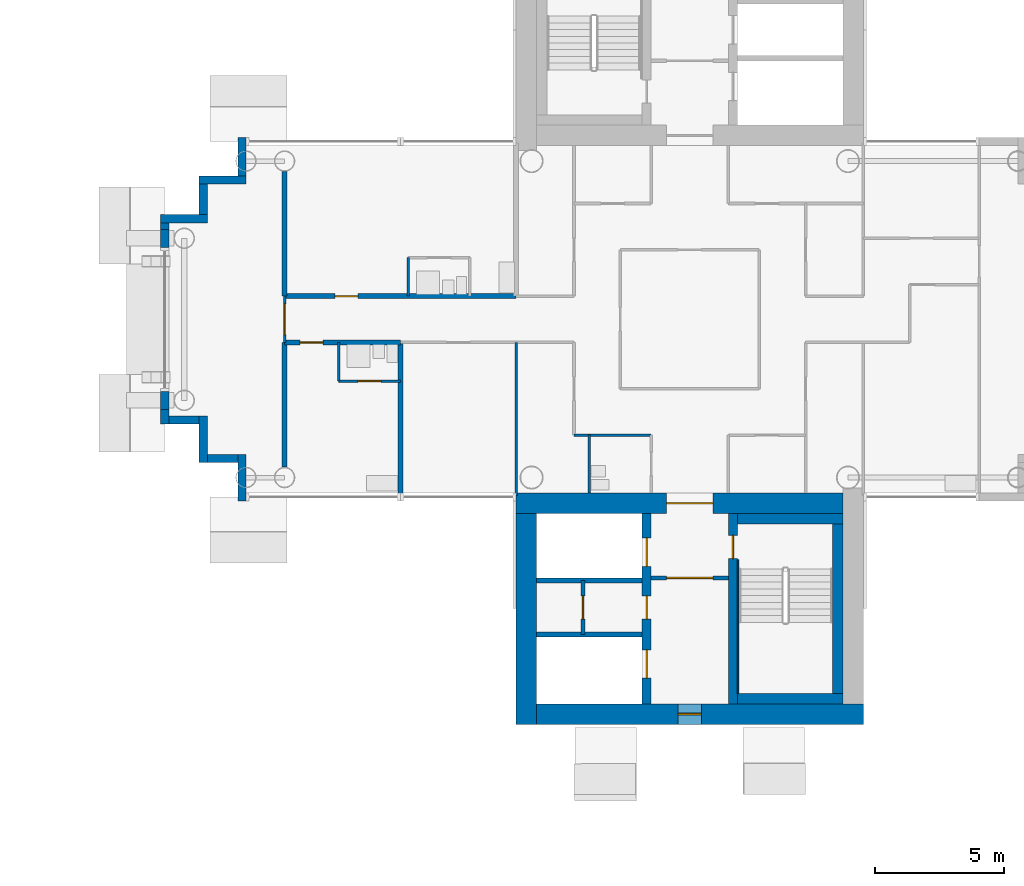
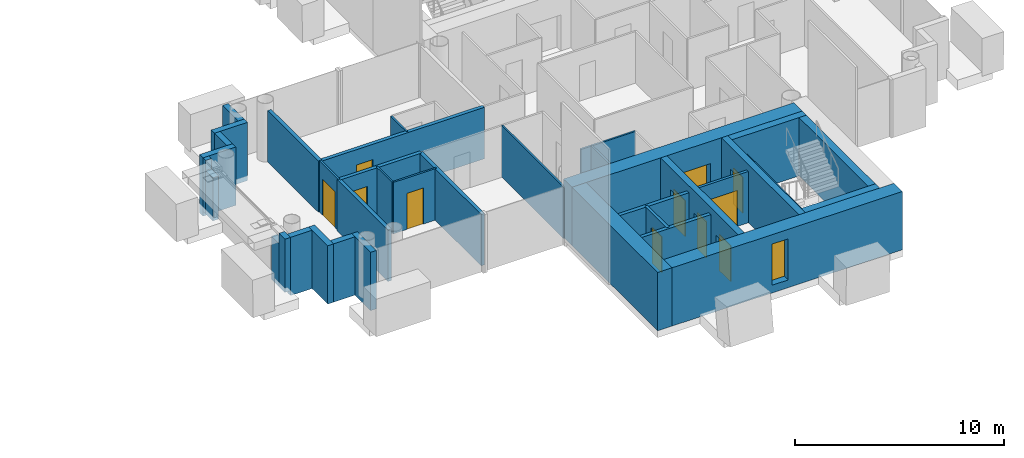
# One storey, part 9 of 18: 37 walls, 11 doors, 1 window, 12 openings.
"""IFC4 building model written with IfcOpenShell, lengths in metres."""

from ifc_helpers import new_model, si_unit, direction, frame, frame_2d, origin, place, context, subcontext, project, spatial, rectangle, extrude, material, layer, layer_set, type_object, element, fill, save


model = new_model("IFC4")

# Units and contexts
model_context = context("Model", 3, precision=1e-05, world=origin(), true_north=direction((0.0, 1.0)))
body_context = subcontext(model_context, "Body", "Model", "MODEL_VIEW")
ifc_project = project(units=[si_unit("LENGTHUNIT", "METRE"), si_unit("AREAUNIT", "SQUARE_METRE"), si_unit("VOLUMEUNIT", "CUBIC_METRE"), si_unit("PLANEANGLEUNIT", "RADIAN"), si_unit("MASSUNIT", "GRAM", prefix="KILO")], contexts=[model_context])

# Site, building, storey
site_placement = place(None, origin())
site = spatial("IfcSite", under=ifc_project, at=site_placement, CompositionType="ELEMENT")
building_placement = place(site_placement, origin())
building = spatial("IfcBuilding", under=site, at=building_placement, Name="Ipe Terrace Towers", CompositionType="ELEMENT")
storey_placement = place(building_placement, frame((0.0, 0.0, 177.89990234375)))
storey = spatial("IfcBuildingStorey", under=building, at=storey_placement, Name="L49", CompositionType="ELEMENT", Elevation=177.89990234375)

# Walls
ifc_material_1 = material(Name="Concrete C40/50 with buff precast cladding", Category="concrete")
ifc_layer_1 = layer(ifc_material_1, 0.320068359375)
ifc_layer_set_1 = layer_set([ifc_layer_1], Name="BUFF CLADDING WALL 320")
wall_type_1 = type_object("IfcWallType", Name="BUFF CLADDING WALL 320", PredefinedType="STANDARD", material=ifc_layer_set_1)
wall_1_placement = place(storey_placement, frame((18.590087890625, 7.070068359375, -0.2998046875), z_axis=(0.0, 0.0, 1.0), x_axis=(0.0, -1.0, 0.0)))
element("IfcWall", 1, at=wall_1_placement, inside=storey, type_object=wall_type_1, Name="T2-W-L49-30a wall", PredefinedType="STANDARD", context=body_context, shape_type="SweptSolid", body=[
    extrude(rectangle(XDim=1.5, YDim=0.320068359375, at=frame_2d((0.75, 0.0))), origin(), (0.0, 0.0, 1.0), 3.39990234375),
])
wall_2_placement = place(storey_placement, frame((18.75, 5.409912109375, -0.2998046875), z_axis=(0.0, 0.0, 1.0), x_axis=(-1.0, 0.0, 0.0)))
element("IfcWall", 2, at=wall_2_placement, inside=storey, type_object=wall_type_1, Name="T2-W-L49-31a wall", PredefinedType="STANDARD", context=body_context, shape_type="SweptSolid", body=[
    extrude(rectangle(XDim=1.820068359375, YDim=0.320068359375, at=frame_2d((0.91015625, 0.0))), origin(), (0.0, 0.0, 1.0), 3.39990234375),
])
wall_3_placement = place(storey_placement, frame((17.090087890625, 5.25, -0.2998046875), z_axis=(0.0, 0.0, 1.0), x_axis=(0.0, -1.0, 0.0)))
element("IfcWall", 3, at=wall_3_placement, inside=storey, type_object=wall_type_1, Name="T2-W-L49-32a wall", PredefinedType="STANDARD", context=body_context, shape_type="SweptSolid", body=[
    extrude(rectangle(XDim=1.179931640625, YDim=0.320068359375, at=frame_2d((0.58984375, 0.0))), origin(), (0.0, 0.0, 1.0), 3.39990234375),
])
wall_4_placement = place(storey_placement, frame((17.25, 3.909912109375, -0.2998046875), z_axis=(0.0, 0.0, 1.0), x_axis=(-1.0, 0.0, 0.0)))
element("IfcWall", 4, at=wall_4_placement, inside=storey, type_object=wall_type_1, Name="T2-W-L49-33a wall", PredefinedType="STANDARD", context=body_context, shape_type="SweptSolid", body=[
    extrude(rectangle(XDim=1.820068359375, YDim=0.320068359375, at=frame_2d((0.91015625, 0.0))), origin(), (0.0, 0.0, 1.0), 3.39990234375),
])
wall_5_placement = place(storey_placement, frame((15.590087890625, 3.75, 0.0), z_axis=(0.0, 0.0, 1.0), x_axis=(0.0, -1.0, 0.0)))
element("IfcWall", 5, at=wall_5_placement, inside=storey, type_object=wall_type_1, Name="T2-W-L49-34a wall", PredefinedType="STANDARD", context=body_context, shape_type="SweptSolid", body=[
    extrude(rectangle(XDim=0.25, YDim=0.320068359375, at=frame_2d((0.125, 0.0))), origin(), (0.0, 0.0, 1.0), 3.10009765625),
])
for number, where, z_axis, x_axis, name in (
    (6, (15.590087890625, 3.5, 0.0), (0.0, 0.0, 1.0), (0.0, -1.0, 0.0), "T2-W-L49-34b wall"),
    (7, (15.590087890625, -2.800048828125, 0.0), (0.0, 0.0, 1.0), (0.0, -1.0, 0.0), "T2-W-L49-34e wall"),
):
    element("IfcWall", number, at=place(storey_placement, frame(where, z_axis=z_axis, x_axis=x_axis)), inside=storey, type_object=wall_type_1, Name=name, PredefinedType="STANDARD", context=body_context, shape_type="SweptSolid", body=[
        extrude(rectangle(XDim=0.699951171875, YDim=0.320068359375, at=frame_2d((0.35009765625, 0.0))), origin(), (0.0, 0.0, 1.0), 2.510009765625),
    ])
wall_6_placement = place(storey_placement, frame((15.590087890625, -3.5, 0.0), z_axis=(0.0, 0.0, 1.0), x_axis=(0.0, -1.0, 0.0)))
element("IfcWall", 8, at=wall_6_placement, inside=storey, type_object=wall_type_1, Name="T2-W-L49-34g wall", PredefinedType="STANDARD", context=body_context, shape_type="SweptSolid", body=[
    extrude(rectangle(XDim=0.570068359375, YDim=0.320068359375, at=frame_2d((0.28515625, 0.0))), origin(), (0.0, 0.0, 1.0), 3.10009765625),
])
wall_7_placement = place(storey_placement, frame((15.75, -3.909912109375, -0.2998046875), z_axis=(0.0, 0.0, 1.0), x_axis=(1.0, 0.0, 0.0)))
element("IfcWall", 9, at=wall_7_placement, inside=storey, type_object=wall_type_1, Name="T2-W-L49-35a wall", PredefinedType="STANDARD", context=body_context, shape_type="SweptSolid", body=[
    extrude(rectangle(XDim=1.179931640625, YDim=0.320068359375, at=frame_2d((0.58984375, 0.0))), origin(), (0.0, 0.0, 1.0), 3.39990234375),
])
wall_8_placement = place(storey_placement, frame((17.090087890625, -3.75, -0.2998046875), z_axis=(0.0, 0.0, 1.0), x_axis=(0.0, -1.0, 0.0)))
element("IfcWall", 10, at=wall_8_placement, inside=storey, type_object=wall_type_1, Name="T2-W-L49-36a wall", PredefinedType="STANDARD", context=body_context, shape_type="SweptSolid", body=[
    extrude(rectangle(XDim=1.820068359375, YDim=0.320068359375, at=frame_2d((0.91015625, 0.0))), origin(), (0.0, 0.0, 1.0), 3.39990234375),
])
wall_9_placement = place(storey_placement, frame((17.25, -5.409912109375, -0.2998046875), z_axis=(0.0, 0.0, 1.0), x_axis=(1.0, 0.0, 0.0)))
element("IfcWall", 11, at=wall_9_placement, inside=storey, type_object=wall_type_1, Name="T2-W-L49-37a wall", PredefinedType="STANDARD", context=body_context, shape_type="SweptSolid", body=[
    extrude(rectangle(XDim=1.179931640625, YDim=0.320068359375, at=frame_2d((0.58984375, 0.0))), origin(), (0.0, 0.0, 1.0), 3.39990234375),
])
wall_10_placement = place(storey_placement, frame((18.590087890625, -5.25, -0.2998046875), z_axis=(0.0, 0.0, 1.0), x_axis=(0.0, -1.0, 0.0)))
element("IfcWall", 12, at=wall_10_placement, inside=storey, type_object=wall_type_1, Name="T2-W-L49-38a wall", PredefinedType="STANDARD", context=body_context, shape_type="SweptSolid", body=[
    extrude(rectangle(XDim=1.820068359375, YDim=0.320068359375, at=frame_2d((0.91015625, 0.0))), origin(), (0.0, 0.0, 1.0), 3.39990234375),
])
ifc_material_2 = material(Name="Gypsum board partition", Category="plasterboard")
ifc_layer_2 = layer(ifc_material_2, 0.10009765625)
ifc_layer_set_2 = layer_set([ifc_layer_2], Name="Gypsum board partition 100 mm")
wall_type_2 = type_object("IfcWallType", Name="Gypsum board partition 100 mm", PredefinedType="PARTITIONING", material=ifc_layer_set_2)
wall_11_placement = place(storey_placement, frame((34.5, -4.5, 0.0), z_axis=(0.0, 0.0, 1.0), x_axis=(-1.0, 0.0, 0.0)))
element("IfcWall", 13, at=wall_11_placement, inside=storey, type_object=wall_type_2, Name="Gypsum board partition T2 L49 W02", PredefinedType="PARTITIONING", context=body_context, shape_type="SweptSolid", body=[
    extrude(rectangle(XDim=3.0, YDim=0.10009765625, at=frame_2d((1.5, 0.0))), origin(), (0.0, 0.0, 1.0), 3.0),
])

# Wall, opening, door
wall_12_placement = place(storey_placement, frame((24.75, -2.39990234375, 0.0), z_axis=(0.0, 0.0, 1.0), x_axis=(-1.0, 0.0, 0.0)))
wall_12 = element("IfcWall", 14, at=wall_12_placement, inside=storey, type_object=wall_type_2, Name="Gypsum board partition T2 L49 W04", PredefinedType="PARTITIONING", context=body_context, shape_type="SweptSolid", body=[
    extrude(rectangle(XDim=2.39990234375, YDim=0.10009765625, at=frame_2d((1.199951171875, 0.0))), origin(), (0.0, 0.0, 1.0), 3.0),
])
opening_1_placement = place(wall_12_placement, frame((0.75, 0.0, 0.0)))
opening_1 = element("IfcOpeningElement", 15, at=opening_1_placement, cuts=wall_12, Name="Opening T2-Z3E-13", PredefinedType="OPENING", context=body_context, shape_type="SweptSolid", body=[
    extrude(rectangle(XDim=0.89990234375, YDim=2.10009765625, at=frame_2d((0.449951171875, 1.050048828125))), frame((0.0, 0.06005859375, 0.0), z_axis=(0.0, -1.0, 0.0), x_axis=(1.0, 0.0, 0.0)), (0.0, 0.0, 1.0), 0.1201171875),
])
ifc_material_3 = material(Name="Timber door leaf", Category="wood")
door_type_1 = type_object("IfcDoorType", Name="Bathroom door 900 x 2100", OperationType="NOTDEFINED", PredefinedType="DOOR", material=ifc_material_3)
door_1_placement = place(opening_1_placement, origin())
door_1 = element("IfcDoor", 16, at=door_1_placement, inside=storey, type_object=door_type_1, Name="Bathroom door T2-Z3E-13", OperationType="SINGLE_SWING_LEFT", OverallHeight=2.10009765625, OverallWidth=0.89990234375, PredefinedType="DOOR", context=body_context, shape_type="SweptSolid", body=[
    extrude(rectangle(XDim=0.89990234375, YDim=2.10009765625, at=frame_2d((0.449951171875, 1.050048828125))), frame((0.0, 0.02490234375, 0.0), z_axis=(0.0, -1.0, 0.0), x_axis=(1.0, 0.0, 0.0)), (0.0, 0.0, 1.0), 0.050048828125),
])
fill(opening_1, door_1)

# Walls
wall_13_placement = place(storey_placement, frame((32.10009765625, -6.75, 0.0), z_axis=(0.0, 0.0, 1.0), x_axis=(0.0, 1.0, 0.0)))
element("IfcWall", 17, at=wall_13_placement, inside=storey, type_object=wall_type_2, Name="Gypsum board partition T2 L49 W35", PredefinedType="PARTITIONING", context=body_context, shape_type="SweptSolid", body=[
    extrude(rectangle(XDim=2.25, YDim=0.10009765625, at=frame_2d((1.125, 0.0))), origin(), (0.0, 0.0, 1.0), 3.0),
])
wall_14_placement = place(storey_placement, frame((29.25, -6.85009765625, 0.0), z_axis=(0.0, 0.0, 1.0), x_axis=(0.0, 1.0, 0.0)))
element("IfcWall", 18, at=wall_14_placement, inside=storey, type_object=wall_type_2, Name="Gypsum board partition T2 L49 W38", PredefinedType="PARTITIONING", context=body_context, shape_type="SweptSolid", body=[
    extrude(rectangle(XDim=5.9501953125, YDim=0.10009765625, at=frame_2d((2.97509765625, 0.0))), origin(), (0.0, 0.0, 1.0), 3.0),
])
for number, where, z_axis, x_axis, name in (
    (19, (25.050048828125, 0.89990234375, 0.0), (0.0, 0.0, 1.0), (0.0, 1.0, 0.0), "Gypsum board partition T2 L49 W41"),
    (20, (22.35009765625, -2.39990234375, 0.0), (0.0, 0.0, 1.0), (0.0, 1.0, 0.0), "Gypsum board partition T2 L49 W43"),
):
    element("IfcWall", number, at=place(storey_placement, frame(where, z_axis=z_axis, x_axis=x_axis)), inside=storey, type_object=wall_type_2, Name=name, PredefinedType="PARTITIONING", context=body_context, shape_type="SweptSolid", body=[
        extrude(rectangle(XDim=1.5, YDim=0.10009765625, at=frame_2d((0.75, 0.0))), origin(), (0.0, 0.0, 1.0), 3.0),
    ])

# Wall, opening, door
wall_15_placement = place(storey_placement, frame((20.25, -0.89990234375, 0.0), z_axis=(0.0, 0.0, 1.0), x_axis=(0.0, 1.0, 0.0)))
wall_15 = element("IfcWall", 21, at=wall_15_placement, inside=storey, type_object=wall_type_2, Name="Gypsum board partition T2 L49 W44", PredefinedType="PARTITIONING", context=body_context, shape_type="SweptSolid", body=[
    extrude(rectangle(XDim=1.7998046875, YDim=0.10009765625, at=frame_2d((0.89990234375, 0.0))), origin(), (0.0, 0.0, 1.0), 3.0),
])
opening_2_placement = place(wall_15_placement, frame((0.300048828125, 0.0, 0.0)))
opening_2 = element("IfcOpeningElement", 22, at=opening_2_placement, cuts=wall_15, Name="Opening T2-Z3E-16", PredefinedType="OPENING", context=body_context, shape_type="SweptSolid", body=[
    extrude(rectangle(XDim=1.199951171875, YDim=2.10009765625, at=frame_2d((0.60009765625, 1.050048828125))), frame((0.0, 0.06005859375, 0.0), z_axis=(0.0, -1.0, 0.0), x_axis=(1.0, 0.0, 0.0)), (0.0, 0.0, 1.0), 0.1201171875),
])
ifc_material_4 = material(Name="Timber door leaf", Category="wood")
door_type_2 = type_object("IfcDoorType", Name="Lounge door 1200 x 2100", OperationType="NOTDEFINED", PredefinedType="DOOR", material=ifc_material_4)
door_2_placement = place(opening_2_placement, origin())
door_2 = element("IfcDoor", 23, at=door_2_placement, inside=storey, type_object=door_type_2, Name="Lounge door T2-Z3E-16", OperationType="SINGLE_SWING_LEFT", OverallHeight=2.10009765625, OverallWidth=1.199951171875, PredefinedType="DOOR", context=body_context, shape_type="SweptSolid", body=[
    extrude(rectangle(XDim=1.199951171875, YDim=2.10009765625, at=frame_2d((0.60009765625, 1.050048828125))), frame((0.0, 0.02490234375, 0.0), z_axis=(0.0, -1.0, 0.0), x_axis=(1.0, 0.0, 0.0)), (0.0, 0.0, 1.0), 0.050048828125),
])
fill(opening_2, door_2)

ifc_material_5 = material(Name="Gypsum board partition", Category="plasterboard")
ifc_layer_3 = layer(ifc_material_5, 0.14990234375)
ifc_layer_set_3 = layer_set([ifc_layer_3], Name="Gypsum board partition 150 mm")
wall_type_3 = type_object("IfcWallType", Name="Gypsum board partition 150 mm", PredefinedType="PARTITIONING", material=ifc_layer_set_3)
wall_16_placement = place(storey_placement, frame((34.5, -10.050048828125, 0.0), z_axis=(0.0, 0.0, 1.0), x_axis=(1.0, 0.0, 0.0)))
wall_16 = element("IfcWall", 24, at=wall_16_placement, inside=storey, type_object=wall_type_3, Name="Gypsum board partition T2 L49 t2c2-lobby-wall", PredefinedType="PARTITIONING", context=body_context, shape_type="SweptSolid", body=[
    extrude(rectangle(XDim=3.0, YDim=0.14990234375, at=frame_2d((1.5, 0.0))), origin(), (0.0, 0.0, 1.0), 3.0),
])
opening_3_placement = place(wall_16_placement, frame((0.60009765625, 0.0, 0.0)))
opening_3 = element("IfcOpeningElement", 25, at=opening_3_placement, cuts=wall_16, Name="Opening T2C2-VD", PredefinedType="OPENING", context=body_context, shape_type="SweptSolid", body=[
    extrude(rectangle(XDim=1.800048828125, YDim=2.10009765625, at=frame_2d((0.89990234375, 1.050048828125))), frame((0.0, 0.0849609375, 0.0), z_axis=(0.0, -1.0, 0.0), x_axis=(1.0, 0.0, 0.0)), (0.0, 0.0, 1.0), 0.169921875),
])
ifc_material_6 = material(Name="Fire-rated timber door leaf", Category="wood")
door_type_3 = type_object("IfcDoorType", Name="Lobby door 1800 x 2100 FD60", OperationType="NOTDEFINED", PredefinedType="DOOR", material=ifc_material_6)
door_3_placement = place(opening_3_placement, origin())
door_3 = element("IfcDoor", 26, at=door_3_placement, inside=storey, type_object=door_type_3, Name="Lobby door T2C2-VD", OperationType="SINGLE_SWING_LEFT", OverallHeight=2.10009765625, OverallWidth=1.800048828125, PredefinedType="DOOR", context=body_context, shape_type="SweptSolid", body=[
    extrude(rectangle(XDim=1.800048828125, YDim=2.10009765625, at=frame_2d((0.89990234375, 1.050048828125))), frame((0.0, 0.02490234375, 0.0), z_axis=(0.0, -1.0, 0.0), x_axis=(1.0, 0.0, 0.0)), (0.0, 0.0, 1.0), 0.050048828125),
])
fill(opening_3, door_3)

wall_17_placement = place(storey_placement, frame((31.85009765625, -10.14990234375, 0.0), z_axis=(0.0, 0.0, 1.0), x_axis=(0.0, -1.0, 0.0)))
wall_17 = element("IfcWall", 27, at=wall_17_placement, inside=storey, type_object=wall_type_3, Name="Gypsum board partition T2 L49 t2c2-q-back", PredefinedType="PARTITIONING", context=body_context, shape_type="SweptSolid", body=[
    extrude(rectangle(XDim=2.10009765625, YDim=0.14990234375, at=frame_2d((1.050048828125, 0.0))), origin(), (0.0, 0.0, 1.0), 3.0),
])
opening_4_placement = place(wall_17_placement, frame((0.60009765625, 0.0, 0.0)))
opening_4 = element("IfcOpeningElement", 28, at=opening_4_placement, cuts=wall_17, Name="Opening T2C2-RB", PredefinedType="OPENING", context=body_context, shape_type="SweptSolid", body=[
    extrude(rectangle(XDim=0.89990234375, YDim=2.10009765625, at=frame_2d((0.449951171875, 1.050048828125))), frame((0.0, 0.0849609375, 0.0), z_axis=(0.0, -1.0, 0.0), x_axis=(1.0, 0.0, 0.0)), (0.0, 0.0, 1.0), 0.169921875),
])
ifc_material_7 = material(Name="Fire-rated timber door leaf", Category="wood")
door_type_4 = type_object("IfcDoorType", Name="Service door 900 x 2100 FD60", OperationType="NOTDEFINED", PredefinedType="DOOR", material=ifc_material_7)
door_4_placement = place(opening_4_placement, origin())
door_4 = element("IfcDoor", 29, at=door_4_placement, inside=storey, type_object=door_type_4, Name="Service door T2C2-RB", OperationType="SINGLE_SWING_LEFT", OverallHeight=2.10009765625, OverallWidth=0.89990234375, PredefinedType="DOOR", context=body_context, shape_type="SweptSolid", body=[
    extrude(rectangle(XDim=0.89990234375, YDim=2.10009765625, at=frame_2d((0.449951171875, 1.050048828125))), frame((0.0, 0.02490234375, 0.0), z_axis=(0.0, -1.0, 0.0), x_axis=(1.0, 0.0, 0.0)), (0.0, 0.0, 1.0), 0.050048828125),
])
fill(opening_4, door_4)

# Walls
ifc_material_8 = material(Name="Gypsum board party wall", Category="plasterboard")
ifc_layer_4 = layer(ifc_material_8, 0.199951171875)
ifc_layer_set_4 = layer_set([ifc_layer_4], Name="Gypsum board party wall 200 mm")
wall_type_4 = type_object("IfcWallType", Name="Gypsum board party wall 200 mm", PredefinedType="SOLIDWALL", material=ifc_layer_set_4)
for number, where, z_axis, x_axis, name in (
    (30, (30.050048828125, -12.25, 0.0), (0.0, 0.0, 1.0), (1.0, 0.0, 0.0), "Gypsum board party wall T2 L49 t2c2-shaft-div2"),
    (31, (30.050048828125, -10.14990234375, 0.0), (0.0, 0.0, 1.0), (1.0, 0.0, 0.0), "Gypsum board party wall T2 L49 t2c2-shaft-div1"),
):
    element("IfcWall", number, at=place(storey_placement, frame(where, z_axis=z_axis, x_axis=x_axis)), inside=storey, type_object=wall_type_4, Name=name, PredefinedType="SOLIDWALL", context=body_context, shape_type="SweptSolid", body=[
        extrude(rectangle(XDim=4.099853515625, YDim=0.199951171875, at=frame_2d((2.0498046875, 0.0))), origin(), (0.0, 0.0, 1.0), 3.0),
    ])

# Wall, opening, door
wall_18_placement = place(storey_placement, frame((24.75, -0.89990234375, 0.0), z_axis=(0.0, 0.0, 1.0), x_axis=(-1.0, 0.0, 0.0)))
wall_18 = element("IfcWall", 32, at=wall_18_placement, inside=storey, type_object=wall_type_4, Name="Gypsum board party wall T2 L49 W07", PredefinedType="SOLIDWALL", context=body_context, shape_type="SweptSolid", body=[
    extrude(rectangle(XDim=4.5, YDim=0.199951171875, at=frame_2d((2.25, 0.0))), origin(), (0.0, 0.0, 1.0), 3.0),
])
opening_5_placement = place(wall_18_placement, frame((3.0, 0.0, 0.0)))
opening_5 = element("IfcOpeningElement", 33, at=opening_5_placement, cuts=wall_18, Name="Opening T2-Z3E-12", PredefinedType="OPENING", context=body_context, shape_type="SweptSolid", body=[
    extrude(rectangle(XDim=0.89990234375, YDim=2.10009765625, at=frame_2d((0.449951171875, 1.050048828125))), frame((0.0, 0.10986328125, 0.0), z_axis=(0.0, -1.0, 0.0), x_axis=(1.0, 0.0, 0.0)), (0.0, 0.0, 1.0), 0.219970703125),
])
ifc_material_9 = material(Name="Fire-rated timber door leaf", Category="wood")
door_type_5 = type_object("IfcDoorType", Name="Flat entrance door 900 x 2100 FD30S", OperationType="NOTDEFINED", PredefinedType="DOOR", material=ifc_material_9)
door_5_placement = place(opening_5_placement, origin())
door_5 = element("IfcDoor", 34, at=door_5_placement, inside=storey, type_object=door_type_5, Name="Flat entrance door T2-Z3E-12", OperationType="SINGLE_SWING_LEFT", OverallHeight=2.10009765625, OverallWidth=0.89990234375, PredefinedType="DOOR", context=body_context, shape_type="SweptSolid", body=[
    extrude(rectangle(XDim=0.89990234375, YDim=2.10009765625, at=frame_2d((0.449951171875, 1.050048828125))), frame((0.0, 0.02490234375, 0.0), z_axis=(0.0, -1.0, 0.0), x_axis=(1.0, 0.0, 0.0)), (0.0, 0.0, 1.0), 0.050048828125),
])
fill(opening_5, door_5)

wall_19_placement = place(storey_placement, frame((29.25, 0.89990234375, 0.0), z_axis=(0.0, 0.0, 1.0), x_axis=(-1.0, 0.0, 0.0)))
wall_19 = element("IfcWall", 35, at=wall_19_placement, inside=storey, type_object=wall_type_4, Name="Gypsum board party wall T2 L49 W10", PredefinedType="SOLIDWALL", context=body_context, shape_type="SweptSolid", body=[
    extrude(rectangle(XDim=9.0, YDim=0.199951171875, at=frame_2d((4.5, 0.0))), origin(), (0.0, 0.0, 1.0), 3.0),
])
opening_6_placement = place(wall_19_placement, frame((6.14990234375, 0.0, 0.0)))
opening_6 = element("IfcOpeningElement", 36, at=opening_6_placement, cuts=wall_19, Name="Opening T2-Z3E-14", PredefinedType="OPENING", context=body_context, shape_type="SweptSolid", body=[
    extrude(rectangle(XDim=0.89990234375, YDim=2.10009765625, at=frame_2d((0.449951171875, 1.050048828125))), frame((0.0, 0.10986328125, 0.0), z_axis=(0.0, -1.0, 0.0), x_axis=(1.0, 0.0, 0.0)), (0.0, 0.0, 1.0), 0.219970703125),
])
door_6_placement = place(opening_6_placement, origin())
door_6 = element("IfcDoor", 37, at=door_6_placement, inside=storey, type_object=door_type_5, Name="Flat entrance door T2-Z3E-14", OperationType="SINGLE_SWING_RIGHT", OverallHeight=2.10009765625, OverallWidth=0.89990234375, PredefinedType="DOOR", context=body_context, shape_type="SweptSolid", body=[
    extrude(rectangle(XDim=0.89990234375, YDim=2.10009765625, at=frame_2d((0.449951171875, 1.050048828125))), frame((0.0, 0.02490234375, 0.0), z_axis=(0.0, -1.0, 0.0), x_axis=(1.0, 0.0, 0.0)), (0.0, 0.0, 1.0), 0.050048828125),
])
fill(opening_6, door_6)

# Walls
wall_20_placement = place(storey_placement, frame((24.75, -6.85009765625, 0.0), z_axis=(0.0, 0.0, 1.0), x_axis=(0.0, 1.0, 0.0)))
element("IfcWall", 38, at=wall_20_placement, inside=storey, type_object=wall_type_4, Name="Gypsum board party wall T2 L49 W42", PredefinedType="SOLIDWALL", context=body_context, shape_type="SweptSolid", body=[
    extrude(rectangle(XDim=5.9501953125, YDim=0.199951171875, at=frame_2d((2.97509765625, 0.0))), origin(), (0.0, 0.0, 1.0), 3.0),
])
for number, where, z_axis, x_axis, name in (
    (39, (20.25, -5.75, 0.0), (0.0, 0.0, 1.0), (0.0, 1.0, 0.0), "Gypsum board party wall T2 L49 W45"),
    (40, (20.25, 0.89990234375, 0.0), (0.0, 0.0, 1.0), (0.0, 1.0, 0.0), "Gypsum board party wall T2 L49 W46"),
):
    element("IfcWall", number, at=place(storey_placement, frame(where, z_axis=z_axis, x_axis=x_axis)), inside=storey, type_object=wall_type_4, Name=name, PredefinedType="SOLIDWALL", context=body_context, shape_type="SweptSolid", body=[
        extrude(rectangle(XDim=4.85009765625, YDim=0.199951171875, at=frame_2d((2.425048828125, 0.0))), origin(), (0.0, 0.0, 1.0), 3.0),
    ])

# Wall, openings, doors
ifc_material_10 = material(Name="Concrete C50/60", Category="concrete")
ifc_layer_5 = layer(ifc_material_10, 0.35009765625)
ifc_layer_set_5 = layer_set([ifc_layer_5], Name="RW350 CORE SPINE WALL 350 C50-60")
wall_type_5 = type_object("IfcWallType", Name="RW350 CORE SPINE WALL 350 C50-60", PredefinedType="SHEAR", material=ifc_layer_set_5)
wall_21_placement = place(storey_placement, frame((34.324951171875, -14.949951171875, 0.0), z_axis=(0.0, 0.0, 1.0), x_axis=(0.0, 1.0, 0.0)))
wall_21 = element("IfcWall", 41, at=wall_21_placement, inside=storey, type_object=wall_type_5, Name="Core spine wall T2-C2-Z3-SW1", PredefinedType="SHEAR", context=body_context, shape_type="SweptSolid", body=[
    extrude(rectangle(XDim=7.39990234375, YDim=0.35009765625, at=frame_2d((3.699951171875, 0.0))), origin(), (0.0, 0.0, 1.0), 3.400146484375),
])
opening_7_placement = place(wall_21_placement, frame((5.35009765625, 0.0, 0.0)))
opening_7 = element("IfcOpeningElement", 42, at=opening_7_placement, cuts=wall_21, Name="Opening T2C2-LD1", PredefinedType="OPENING", context=body_context, shape_type="SweptSolid", body=[
    extrude(rectangle(XDim=1.10009765625, YDim=2.10009765625, at=frame_2d((0.550048828125, 1.050048828125))), frame((0.0, 0.18505859375, 0.0), z_axis=(0.0, -1.0, 0.0), x_axis=(1.0, 0.0, 0.0)), (0.0, 0.0, 1.0), 0.3701171875),
])
opening_8_placement = place(wall_21_placement, frame((1.0, 0.0, 0.0)))
opening_8 = element("IfcOpeningElement", 43, at=opening_8_placement, cuts=wall_21, Name="Opening T2C2-LD3", PredefinedType="OPENING", context=body_context, shape_type="SweptSolid", body=[
    extrude(rectangle(XDim=1.10009765625, YDim=2.10009765625, at=frame_2d((0.550048828125, 1.050048828125))), frame((0.0, 0.18505859375, 0.0), z_axis=(0.0, -1.0, 0.0), x_axis=(1.0, 0.0, 0.0)), (0.0, 0.0, 1.0), 0.3701171875),
])
opening_9_placement = place(wall_21_placement, frame((3.300048828125, 0.0, 0.0)))
opening_9 = element("IfcOpeningElement", 44, at=opening_9_placement, cuts=wall_21, Name="Opening T2C2-R1", PredefinedType="OPENING", context=body_context, shape_type="SweptSolid", body=[
    extrude(rectangle(XDim=0.89990234375, YDim=2.10009765625, at=frame_2d((0.449951171875, 1.050048828125))), frame((0.0, 0.18505859375, 0.0), z_axis=(0.0, -1.0, 0.0), x_axis=(1.0, 0.0, 0.0)), (0.0, 0.0, 1.0), 0.3701171875),
])
ifc_material_11 = material(Name="Fire-rated timber door leaf", Category="wood")
door_type_6 = type_object("IfcDoorType", Name="Sliding door 1100 x 2100 FD60", OperationType="SLIDING_TO_LEFT", PredefinedType="DOOR", material=ifc_material_11)
door_7_placement = place(opening_7_placement, origin())
door_7 = element("IfcDoor", 45, at=door_7_placement, inside=storey, type_object=door_type_6, Name="Sliding door T2C2-LD1", OperationType="SLIDING_TO_LEFT", OverallHeight=2.10009765625, OverallWidth=1.10009765625, PredefinedType="DOOR", context=body_context, shape_type="SweptSolid", body=[
    extrude(rectangle(XDim=1.10009765625, YDim=2.10009765625, at=frame_2d((0.550048828125, 1.050048828125))), frame((0.0, 0.02490234375, 0.0), z_axis=(0.0, -1.0, 0.0), x_axis=(1.0, 0.0, 0.0)), (0.0, 0.0, 1.0), 0.050048828125),
])
fill(opening_7, door_7)
door_8_placement = place(opening_8_placement, origin())
door_8 = element("IfcDoor", 46, at=door_8_placement, inside=storey, type_object=door_type_6, Name="Sliding door T2C2-LD3", OperationType="SLIDING_TO_LEFT", OverallHeight=2.10009765625, OverallWidth=1.10009765625, PredefinedType="DOOR", context=body_context, shape_type="SweptSolid", body=[
    extrude(rectangle(XDim=1.10009765625, YDim=2.10009765625, at=frame_2d((0.550048828125, 1.050048828125))), frame((0.0, 0.02490234375, 0.0), z_axis=(0.0, -1.0, 0.0), x_axis=(1.0, 0.0, 0.0)), (0.0, 0.0, 1.0), 0.050048828125),
])
fill(opening_8, door_8)
ifc_material_12 = material(Name="Timber door leaf", Category="wood")
door_type_7 = type_object("IfcDoorType", Name="Store door 900 x 2100", OperationType="NOTDEFINED", PredefinedType="DOOR", material=ifc_material_12)
door_9_placement = place(opening_9_placement, origin())
door_9 = element("IfcDoor", 47, at=door_9_placement, inside=storey, type_object=door_type_7, Name="Store door T2C2-R1", OperationType="SINGLE_SWING_LEFT", OverallHeight=2.10009765625, OverallWidth=0.89990234375, PredefinedType="DOOR", context=body_context, shape_type="SweptSolid", body=[
    extrude(rectangle(XDim=0.89990234375, YDim=2.10009765625, at=frame_2d((0.449951171875, 1.050048828125))), frame((0.0, 0.02490234375, 0.0), z_axis=(0.0, -1.0, 0.0), x_axis=(1.0, 0.0, 0.0)), (0.0, 0.0, 1.0), 0.050048828125),
])
fill(opening_9, door_9)

# Wall, opening, door
wall_22_placement = place(storey_placement, frame((37.675048828125, -14.949951171875, 0.0), z_axis=(0.0, 0.0, 1.0), x_axis=(0.0, 1.0, 0.0)))
wall_22 = element("IfcWall", 48, at=wall_22_placement, inside=storey, type_object=wall_type_5, Name="Core spine wall T2-C2-Z3-SW2", PredefinedType="SHEAR", context=body_context, shape_type="SweptSolid", body=[
    extrude(rectangle(XDim=7.39990234375, YDim=0.35009765625, at=frame_2d((3.699951171875, 0.0))), origin(), (0.0, 0.0, 1.0), 3.400146484375),
])
opening_10_placement = place(wall_22_placement, frame((5.64990234375, 0.0, 0.0)))
opening_10 = element("IfcOpeningElement", 49, at=opening_10_placement, cuts=wall_22, Name="Opening T2C2-SD", PredefinedType="OPENING", context=body_context, shape_type="SweptSolid", body=[
    extrude(rectangle(XDim=0.89990234375, YDim=2.10009765625, at=frame_2d((0.449951171875, 1.050048828125))), frame((0.0, 0.18505859375, 0.0), z_axis=(0.0, -1.0, 0.0), x_axis=(1.0, 0.0, 0.0)), (0.0, 0.0, 1.0), 0.3701171875),
])
ifc_material_13 = material(Name="Fire-rated timber door leaf", Category="wood")
door_type_8 = type_object("IfcDoorType", Name="Stair door 900 x 2100 FD60", OperationType="NOTDEFINED", PredefinedType="DOOR", material=ifc_material_13)
door_10_placement = place(opening_10_placement, origin())
door_10 = element("IfcDoor", 50, at=door_10_placement, inside=storey, type_object=door_type_8, Name="Stair door T2C2-SD", OperationType="SINGLE_SWING_RIGHT", OverallHeight=2.10009765625, OverallWidth=0.89990234375, PredefinedType="DOOR", context=body_context, shape_type="SweptSolid", body=[
    extrude(rectangle(XDim=0.89990234375, YDim=2.10009765625, at=frame_2d((0.449951171875, 1.050048828125))), frame((0.0, 0.02490234375, 0.0), z_axis=(0.0, -1.0, 0.0), x_axis=(1.0, 0.0, 0.0)), (0.0, 0.0, 1.0), 0.050048828125),
])
fill(opening_10, door_10)

# Walls
ifc_material_14 = material(Name="Concrete C50/60", Category="concrete")
ifc_layer_6 = layer(ifc_material_14, 0.39990234375)
ifc_layer_set_6 = layer_set([ifc_layer_6], Name="RW400 CORE INFILL WALL 400 C50-60")
wall_type_6 = type_object("IfcWallType", Name="RW400 CORE INFILL WALL 400 C50-60", PredefinedType="SHEAR", material=ifc_layer_set_6)
wall_23_placement = place(storey_placement, frame((37.85009765625, -14.75, 0.0), z_axis=(0.0, 0.0, 1.0), x_axis=(1.0, 0.0, 0.0)))
element("IfcWall", 51, at=wall_23_placement, inside=storey, type_object=wall_type_6, Name="Core infill wall T2-C2-far", PredefinedType="SHEAR", context=body_context, shape_type="SweptSolid", body=[
    extrude(rectangle(XDim=4.099853515625, YDim=0.39990234375, at=frame_2d((2.0498046875, 0.0))), origin(), (0.0, 0.0, 1.0), 3.400146484375),
])
wall_24_placement = place(storey_placement, frame((41.75, -7.949951171875, 0.0), z_axis=(0.0, 0.0, 1.0), x_axis=(0.0, -1.0, 0.0)))
element("IfcWall", 52, at=wall_24_placement, inside=storey, type_object=wall_type_6, Name="Core infill wall T2-C2-back", PredefinedType="SHEAR", context=body_context, shape_type="SweptSolid", body=[
    extrude(rectangle(XDim=6.60009765625, YDim=0.39990234375, at=frame_2d((3.300048828125, 0.0))), origin(), (0.0, 0.0, 1.0), 3.400146484375),
])
wall_25_placement = place(storey_placement, frame((37.85009765625, -7.75, 0.0), z_axis=(0.0, 0.0, 1.0), x_axis=(1.0, 0.0, 0.0)))
element("IfcWall", 53, at=wall_25_placement, inside=storey, type_object=wall_type_6, Name="Core infill wall T2-C2-near", PredefinedType="SHEAR", context=body_context, shape_type="SweptSolid", body=[
    extrude(rectangle(XDim=4.099853515625, YDim=0.39990234375, at=frame_2d((2.0498046875, 0.0))), origin(), (0.0, 0.0, 1.0), 3.400146484375),
])
ifc_material_15 = material(Name="Concrete C50/60", Category="concrete")
ifc_layer_7 = layer(ifc_material_15, 0.050048828125)
ifc_layer_set_7 = layer_set([ifc_layer_7], Name="RW50 CORE INFILL WALL 50 C50-60")
wall_type_7 = type_object("IfcWallType", Name="RW50 CORE INFILL WALL 50 C50-60", PredefinedType="SHEAR", material=ifc_layer_set_7)
wall_26_placement = place(storey_placement, frame((37.875, -9.35009765625, 0.0), z_axis=(0.0, 0.0, 1.0), x_axis=(0.0, -1.0, 0.0)))
element("IfcWall", 54, at=wall_26_placement, inside=storey, type_object=wall_type_7, Name="Core infill wall T2-C2-spine-b", PredefinedType="SHEAR", context=body_context, shape_type="SweptSolid", body=[
    extrude(rectangle(XDim=5.199951171875, YDim=0.050048828125, at=frame_2d((2.60009765625, 0.0))), origin(), (0.0, 0.0, 1.0), 3.400146484375),
])

# Wall, opening, window
ifc_material_16 = material(Name="Concrete C50/60", Category="concrete")
ifc_layer_8 = layer(ifc_material_16, 0.800048828125)
ifc_layer_set_8 = layer_set([ifc_layer_8], Name="RW800 CORE WALL 800 C50-60")
wall_type_8 = type_object("IfcWallType", Name="RW800 CORE WALL 800 C50-60", PredefinedType="SHEAR", material=ifc_layer_set_8)
wall_27_placement = place(storey_placement, frame((30.050048828125, -15.35009765625, 0.0), z_axis=(0.0, 0.0, 1.0), x_axis=(1.0, 0.0, 0.0)))
wall_27 = element("IfcWall", 55, at=wall_27_placement, inside=storey, type_object=wall_type_8, Name="Core wall T2-C2-Z3-W01", PredefinedType="SHEAR", context=body_context, shape_type="SweptSolid", body=[
    extrude(rectangle(XDim=12.699951171875, YDim=0.800048828125, at=frame_2d((6.35009765625, 0.0))), origin(), (0.0, 0.0, 1.0), 3.400146484375),
])
opening_11_placement = place(wall_27_placement, frame((5.5, 0.0, 0.449951171875)))
opening_11 = element("IfcOpeningElement", 56, at=opening_11_placement, cuts=wall_27, Name="Opening T2-C2-W-01-L49", PredefinedType="OPENING", context=body_context, shape_type="SweptSolid", body=[
    extrude(rectangle(XDim=0.89990234375, YDim=2.39990234375, at=frame_2d((0.449951171875, 1.199951171875))), frame((0.0, 0.41015625, 0.0), z_axis=(0.0, -1.0, 0.0), x_axis=(1.0, 0.0, 0.0)), (0.0, 0.0, 1.0), 0.820068359375),
])
ifc_material_17 = material(Name="Fire-resistant glazing EI 60", Category="glass")
window_type = type_object("IfcWindowType", Name="CORRIDOR END SLOT WINDOW 900 x 2400 EI 60", PartitioningType="SINGLE_PANEL", PredefinedType="WINDOW", material=ifc_material_17)
window_placement = place(opening_11_placement, origin())
window = element("IfcWindow", 57, at=window_placement, inside=storey, type_object=window_type, Name="W-01 window", OverallHeight=2.39990234375, OverallWidth=0.89990234375, PartitioningType="SINGLE_PANEL", PredefinedType="WINDOW", context=body_context, shape_type="SweptSolid", body=[
    extrude(rectangle(XDim=0.89990234375, YDim=2.39990234375, at=frame_2d((0.449951171875, 1.199951171875))), frame((0.0, 0.030029296875, 0.0), z_axis=(0.0, -1.0, 0.0), x_axis=(1.0, 0.0, 0.0)), (0.0, 0.0, 1.0), 0.06005859375),
])
fill(opening_11, window)

# Wall, opening, door
wall_28_placement = place(storey_placement, frame((41.949951171875, -7.14990234375, 0.0), z_axis=(0.0, 0.0, 1.0), x_axis=(-1.0, 0.0, 0.0)))
wall_28 = element("IfcWall", 58, at=wall_28_placement, inside=storey, type_object=wall_type_8, Name="Core wall T2-C2-Z3-W03", PredefinedType="SHEAR", context=body_context, shape_type="SweptSolid", body=[
    extrude(rectangle(XDim=12.699951171875, YDim=0.800048828125, at=frame_2d((6.35009765625, 0.0))), origin(), (0.0, 0.0, 1.0), 3.400146484375),
])
opening_12_placement = place(wall_28_placement, frame((5.050048828125, 0.0, 0.0)))
opening_12 = element("IfcOpeningElement", 59, at=opening_12_placement, cuts=wall_28, Name="Opening T2C2-ND", PredefinedType="OPENING", context=body_context, shape_type="SweptSolid", body=[
    extrude(rectangle(XDim=1.800048828125, YDim=2.10009765625, at=frame_2d((0.89990234375, 1.050048828125))), frame((0.0, 0.41015625, 0.0), z_axis=(0.0, -1.0, 0.0), x_axis=(1.0, 0.0, 0.0)), (0.0, 0.0, 1.0), 0.820068359375),
])
ifc_material_18 = material(Name="Fire-rated timber door leaf", Category="wood")
door_type_9 = type_object("IfcDoorType", Name="Fire door 1800 x 2100 FD30S", OperationType="NOTDEFINED", PredefinedType="DOOR", material=ifc_material_18)
door_11_placement = place(opening_12_placement, origin())
door_11 = element("IfcDoor", 60, at=door_11_placement, inside=storey, type_object=door_type_9, Name="Fire door T2C2-ND", OperationType="SINGLE_SWING_LEFT", OverallHeight=2.10009765625, OverallWidth=1.800048828125, PredefinedType="DOOR", context=body_context, shape_type="SweptSolid", body=[
    extrude(rectangle(XDim=1.800048828125, YDim=2.10009765625, at=frame_2d((0.89990234375, 1.050048828125))), frame((0.0, 0.02490234375, 0.0), z_axis=(0.0, -1.0, 0.0), x_axis=(1.0, 0.0, 0.0)), (0.0, 0.0, 1.0), 0.050048828125),
])
fill(opening_12, door_11)

# Wall
wall_29_placement = place(storey_placement, frame((29.64990234375, -7.550048828125, 0.0), z_axis=(0.0, 0.0, 1.0), x_axis=(0.0, -1.0, 0.0)))
element("IfcWall", 61, at=wall_29_placement, inside=storey, type_object=wall_type_8, Name="Core wall T2-C2-Z3-W04", PredefinedType="SHEAR", context=body_context, shape_type="SweptSolid", body=[
    extrude(rectangle(XDim=8.199951171875, YDim=0.800048828125, at=frame_2d((4.10009765625, 0.0))), origin(), (0.0, 0.0, 1.0), 3.400146484375),
])

save(model, "model.ifc")
